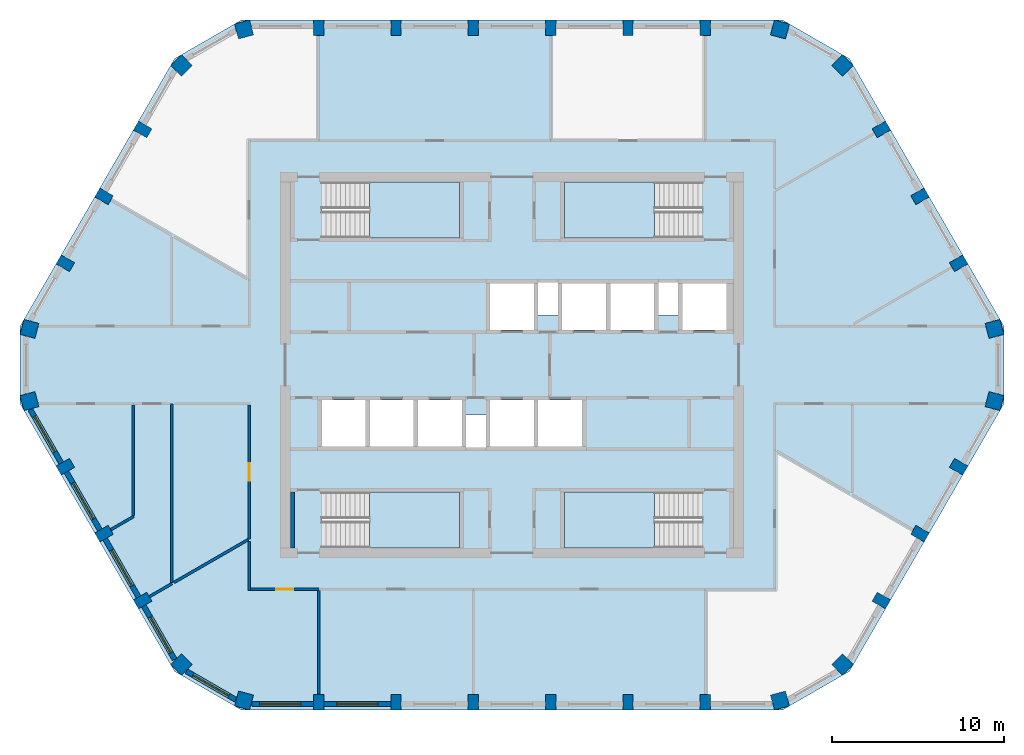
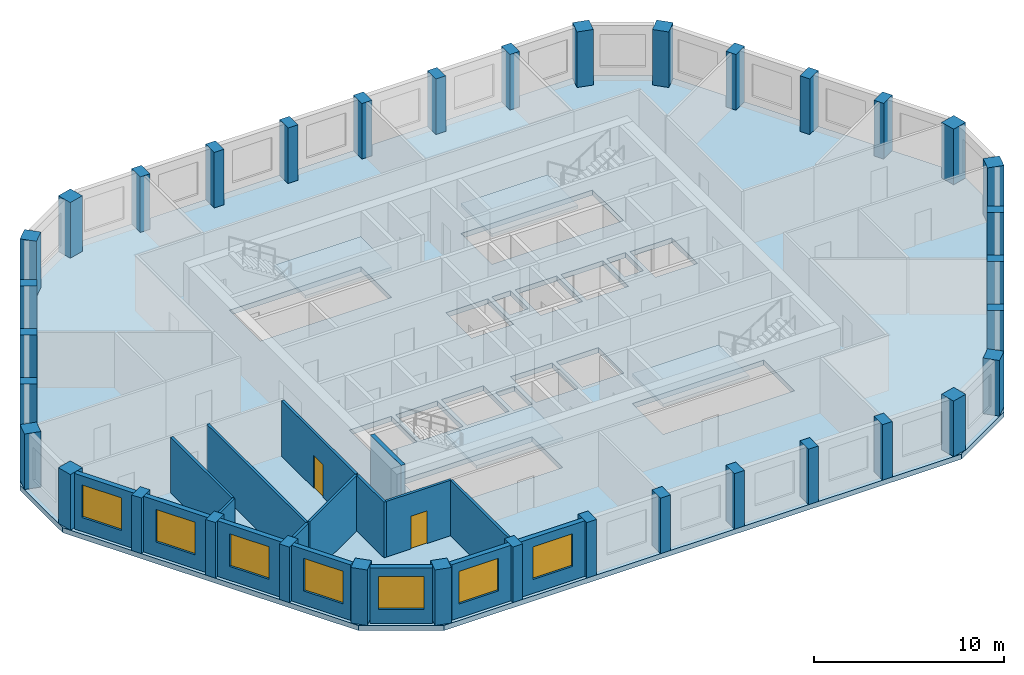
# One storey, part 1 of 10: 36 columns, 17 walls, 7 windows, 5 slabs, 2 doors, 9 openings, 4 elements without a shape of their own.
"""IFC4 building model written with IfcOpenShell, lengths in metres."""

import ifcopenshell
import ifcopenshell.guid

model = None  # the IFC model being written
_history = None  # IfcOwnerHistory: only IFC2X3 demands one
_inside = {}  # id of a spatial element -> (the spatial element, [elements in it])
_under = {}  # id of a project, library or spatial element -> (it, [spatial elements below it])
_declared = {}  # id of a project -> (the project, [libraries it declares])
_typed = {}  # id of a type object -> (the type object, [elements of that type])
_made_of = {}  # id of a material, layer set ... -> (it, [elements and type objects made of it])


def new_model(schema):
    """Start an empty IFC model of exactly this schema.

    Asked for "IFC4X3", IfcOpenShell would pick the latest addendum, in which some entities
    have other attributes; the version numbers below select the first issue.
    IFC2X3 requires an IfcOwnerHistory on every rooted entity: one is made here for all.
    """
    global model, _history
    if schema == "IFC4X3":
        model = ifcopenshell.file(schema_version=(4, 3, 0, 0))
    else:
        model = ifcopenshell.file(schema=schema)
    _inside.clear()
    _under.clear()
    _declared.clear()
    _typed.clear()
    _made_of.clear()
    _history = None
    if model.schema == "IFC2X3":
        org = make("IfcOrganization", Name="unknown")
        user = make(
            "IfcPersonAndOrganization",
            ThePerson=make("IfcPerson", FamilyName="unknown"),
            TheOrganization=org,
        )
        app = make(
            "IfcApplication",
            ApplicationDeveloper=org,
            Version="unknown",
            ApplicationFullName="unknown",
            ApplicationIdentifier="unknown",
        )
        _history = make(
            "IfcOwnerHistory",
            OwningUser=user,
            OwningApplication=app,
            ChangeAction="ADDED",
            CreationDate=0,
        )
    return model


def make(cls, **values):
    """One entity of the class cls with the attributes given. An attribute that is None is left unset."""
    return model.create_entity(
        cls, **{name: value for name, value in values.items() if value is not None}
    )


def rooted(cls, **values):
    """An entity with a GlobalId (a new one), such as an element, a storey or a relation."""
    return make(cls, GlobalId=ifcopenshell.guid.new(), OwnerHistory=_history, **values)


def si_unit(unit_type, name, prefix=None):
    """IfcSIUnit, for example si_unit("LENGTHUNIT", "METRE", prefix="MILLI")."""
    return make("IfcSIUnit", UnitType=unit_type, Prefix=prefix, Name=name)


def assignment(units):
    """IfcUnitAssignment: the units of a project."""
    return None if units is None else make("IfcUnitAssignment", Units=units)


def point(xyz):
    """IfcCartesianPoint."""
    return None if xyz is None else make("IfcCartesianPoint", Coordinates=xyz)


def direction(xyz):
    """IfcDirection."""
    return None if xyz is None else make("IfcDirection", DirectionRatios=xyz)


def frame(location, z_axis=None, x_axis=None):
    """IfcAxis2Placement3D, a coordinate frame: its origin and axes. An axis left out is left unset."""
    return make(
        "IfcAxis2Placement3D",
        Location=point(location),
        Axis=direction(z_axis),
        RefDirection=direction(x_axis),
    )


def frame_2d(location, x_axis=None):
    """IfcAxis2Placement2D, a coordinate frame in the plane: its origin and x axis."""
    return make(
        "IfcAxis2Placement2D", Location=point(location), RefDirection=direction(x_axis)
    )


def origin():
    """The frame at (0, 0, 0) with its axes left unset."""
    return frame((0.0, 0.0, 0.0))


def origin_2d():
    """The frame at (0, 0) in the plane with its x axis left unset."""
    return frame_2d((0.0, 0.0))


def place(relative_to, where):
    """IfcLocalPlacement: puts the frame where relative to a parent placement (None: the world)."""
    return make(
        "IfcLocalPlacement", PlacementRelTo=relative_to, RelativePlacement=where
    )


def context(
    kind, dimensions, precision=None, world=None, true_north=None, identifier=None
):
    """IfcGeometricRepresentationContext, for example the 3D "Model" context."""
    return make(
        "IfcGeometricRepresentationContext",
        ContextIdentifier=identifier,
        ContextType=kind,
        CoordinateSpaceDimension=dimensions,
        Precision=precision,
        WorldCoordinateSystem=world,
        TrueNorth=true_north,
    )


def subcontext(parent, identifier, kind, view, scale=None):
    """IfcGeometricRepresentationSubContext, for example "Body" below "Model"."""
    return make(
        "IfcGeometricRepresentationSubContext",
        ContextIdentifier=identifier,
        ContextType=kind,
        ParentContext=parent,
        TargetScale=scale,
        TargetView=view,
    )


def project(units=None, contexts=None):
    """IfcProject with its units and contexts."""
    return rooted(
        "IfcProject",
        Name="project",
        RepresentationContexts=contexts,
        UnitsInContext=assignment(units),
    )


def spatial(cls, under=None, at=None, **own):
    """A site, building, storey or space (cls), placed at a placement, below another one or the project."""
    s = rooted(cls, ObjectPlacement=at, **own)
    if under is not None:
        _under.setdefault(under.id(), (under, []))[1].append(s)
    return s


def polyline(points):
    """IfcPolyline through the points."""
    return make("IfcPolyline", Points=[point(p) for p in points])


def profile(cls, at=None, kind="AREA", **sizes):
    """A parametric profile (cls). Its sizes go by their IFC names, for example OverallWidth=200.0."""
    return make(cls, ProfileType=kind, Position=at, **sizes)


def rectangle(**sizes):
    """IfcRectangleProfileDef."""
    return profile("IfcRectangleProfileDef", **sizes)


def outline(outer, holes=None, kind="AREA"):
    """IfcArbitraryClosedProfileDef: a profile drawn as a closed curve; with holes, ...WithVoids."""
    if holes is None:
        return make("IfcArbitraryClosedProfileDef", ProfileType=kind, OuterCurve=outer)
    return make(
        "IfcArbitraryProfileDefWithVoids",
        ProfileType=kind,
        OuterCurve=outer,
        InnerCurves=holes,
    )


def extrude(swept, where, along, depth):
    """IfcExtrudedAreaSolid: the profile swept, set in the frame where, extruded along a direction by depth."""
    return make(
        "IfcExtrudedAreaSolid",
        SweptArea=swept,
        Position=where,
        ExtrudedDirection=direction(along),
        Depth=depth,
    )


def shape(context_of_items, identifier, shape_type, items):
    """IfcShapeRepresentation: the items that make up one representation, for example the "Body"."""
    return make(
        "IfcShapeRepresentation",
        ContextOfItems=context_of_items,
        RepresentationIdentifier=identifier,
        RepresentationType=shape_type,
        Items=items,
    )


def material(Name=None, Category=None):
    """IfcMaterial."""
    return make("IfcMaterial", Name=Name, Category=Category)


def layer(
    of_material, thickness, ventilated=None, Name=None, Category=None, Priority=None
):
    """IfcMaterialLayer: one layer of a wall or slab, of a material (None: an air gap)."""
    return make(
        "IfcMaterialLayer",
        Material=of_material,
        LayerThickness=thickness,
        IsVentilated=ventilated,
        Name=Name,
        Category=Category,
        Priority=Priority,
    )


def layer_set(layers, Name=None):
    """IfcMaterialLayerSet."""
    return make("IfcMaterialLayerSet", MaterialLayers=layers, LayerSetName=Name)


def material_profile(
    of_material, cross_section, Name=None, Category=None, Priority=None
):
    """IfcMaterialProfile: a cross section and its material."""
    return make(
        "IfcMaterialProfile",
        Name=Name,
        Material=of_material,
        Profile=cross_section,
        Priority=Priority,
        Category=Category,
    )


def profile_set(profiles, Name=None, composite=None):
    """IfcMaterialProfileSet."""
    return make(
        "IfcMaterialProfileSet",
        Name=Name,
        MaterialProfiles=profiles,
        CompositeProfile=composite,
    )


def made_of(thing, what):
    """Note that an element or type object is made of a material, layer set ...; save() writes the relation."""
    if what is not None:
        _made_of.setdefault(what.id(), (what, []))[1].append(thing)
    return thing


def type_object(cls, material=None, **own):
    """A type object (cls), such as IfcWallType, which elements share."""
    return made_of(rooted(cls, **own), material)


def element(
    cls,
    number,
    at=None,
    inside=None,
    cuts=None,
    type_object=None,
    material=None,
    context=None,
    identifier="Body",
    shape_type=None,
    held_by="IfcProductDefinitionShape",
    body=None,
    shapes=None,
    **own,
):
    """One element of the class cls, such as IfcWall. Its Tag is "e" and its number.

    at: its placement. inside: the storey or other place that contains it. cuts: it is an
    opening in that element (IfcRelVoidsElement). A single representation is given by context,
    identifier, shape_type and body (its items); several are given by shapes. held_by: the class
    of the entity that holds the representations. save() writes the other relations.
    """
    e = rooted(cls, Tag="e%d" % number, ObjectPlacement=at, **own)
    if body is not None:
        shapes = [shape(context, identifier, shape_type, body)]
    if shapes is not None:
        e.Representation = make(held_by, Representations=shapes)
    if inside is not None:
        _inside.setdefault(inside.id(), (inside, []))[1].append(e)
    if cuts is not None:
        rooted(
            "IfcRelVoidsElement", RelatingBuildingElement=cuts, RelatedOpeningElement=e
        )
    if type_object is not None:
        _typed.setdefault(type_object.id(), (type_object, []))[1].append(e)
    return made_of(e, material)


def fill(opening, filler):
    """IfcRelFillsElement: the door or window that sits in an opening."""
    return rooted(
        "IfcRelFillsElement",
        RelatingOpeningElement=opening,
        RelatedBuildingElement=filler,
    )


def aggregate(whole, parts):
    """IfcRelAggregates: a whole, such as a stair, and the parts it consists of."""
    return rooted("IfcRelAggregates", RelatingObject=whole, RelatedObjects=parts)


def save(model, path):
    """Write the relations noted so far, then the file.

    IfcRelAggregates (storeys below a building ...), IfcRelContainedInSpatialStructure (elements
    in a storey), IfcRelDefinesByType, IfcRelAssociatesMaterial and IfcRelDeclares: one each for
    every whole, place, type object, material and project.
    """
    for whole, parts in _under.values():
        aggregate(whole, parts)
    for where, things in _inside.values():
        rooted(
            "IfcRelContainedInSpatialStructure",
            RelatedElements=things,
            RelatingStructure=where,
        )
    for kind, things in _typed.values():
        rooted("IfcRelDefinesByType", RelatedObjects=things, RelatingType=kind)
    for what, things in _made_of.values():
        rooted("IfcRelAssociatesMaterial", RelatedObjects=things, RelatingMaterial=what)
    for by, libraries in _declared.values():
        rooted("IfcRelDeclares", RelatingContext=by, RelatedDefinitions=libraries)
    model.write(path)


model = new_model("IFC4")

# Units and contexts
model_context = context("Model", 3, precision=1e-05, world=origin(), true_north=direction((0.0, 1.0)))
body_context = subcontext(model_context, "Body", "Model", "MODEL_VIEW")
ifc_project = project(units=[si_unit("LENGTHUNIT", "METRE"), si_unit("AREAUNIT", "SQUARE_METRE"), si_unit("VOLUMEUNIT", "CUBIC_METRE"), si_unit("PLANEANGLEUNIT", "RADIAN"), si_unit("MASSUNIT", "GRAM", prefix="KILO")], contexts=[model_context])

# Site, building, storey
site_placement = place(None, origin())
site = spatial("IfcSite", under=ifc_project, at=site_placement, CompositionType="ELEMENT")
building_placement = place(site_placement, origin())
building = spatial("IfcBuilding", under=site, at=building_placement, Name="Dhurran Vertical Campus", CompositionType="ELEMENT")
storey_placement = place(building_placement, frame((0.0, 0.0, 298.199951171875)))
storey = spatial("IfcBuildingStorey", under=building, at=storey_placement, Name="L74", CompositionType="ELEMENT", Elevation=298.199951171875)

# Columns
ifc_material_1 = material(Name="Concrete C50/60", Category="concrete")
ifc_material_profile_1 = material_profile(ifc_material_1, rectangle(XDim=0.60009765625, YDim=0.89990234375, at=origin_2d()), Name="RC 600x900")
ifc_profile_set_1 = profile_set([ifc_material_profile_1], Name="Concrete C50/60")
column_type_1 = type_object("IfcColumnType", Name="FR COL RC 600x900 C50/60", PredefinedType="COLUMN", material=ifc_profile_set_1)
for number, where, z_axis, x_axis, name in (
    (1, (-11.25, -19.638427734375, 0.0), (0.0, 0.0, 1.0), (1.0, 0.0, 0.0), "Perimeter pier PP6.01"),
    (2, (-6.75, -19.638427734375, 0.0), (0.0, 0.0, 1.0), (1.0, 0.0, 0.0), "Perimeter pier PP6.02"),
    (3, (-2.25, -19.638427734375, 0.0), (0.0, 0.0, 1.0), (1.0, 0.0, 0.0), "Perimeter pier PP6.03"),
    (4, (2.25, -19.638427734375, 0.0), (0.0, 0.0, 1.0), (1.0, 0.0, 0.0), "Perimeter pier PP6.04"),
    (5, (6.75, -19.638427734375, 0.0), (0.0, 0.0, 1.0), (1.0, 0.0, 0.0), "Perimeter pier PP6.05"),
    (6, (11.25, -19.638427734375, 0.0), (0.0, 0.0, 1.0), (1.0, 0.0, 0.0), "Perimeter pier PP6.06"),
    (7, (21.50732421875, -13.71630859375, 0.0), (0.0, 0.0, 1.0), (0.5, 0.866025403784, 0.0), "Perimeter pier PP6.09"),
    (8, (23.75732421875, -9.819091796875, 0.0), (0.0, 0.0, 1.0), (0.5, 0.866025403784, 0.0), "Perimeter pier PP6.10"),
    (9, (26.00732421875, -5.922119140625, 0.0), (0.0, 0.0, 1.0), (0.5, 0.866025403784, 0.0), "Perimeter pier PP6.11"),
    (10, (26.00732421875, 5.922119140625, 0.0), (0.0, 0.0, 1.0), (-0.5, 0.866025403784, 0.0), "Perimeter pier PP6.14"),
    (11, (23.75732421875, 9.819091796875, 0.0), (0.0, 0.0, 1.0), (-0.5, 0.866025403784, 0.0), "Perimeter pier PP6.15"),
    (12, (21.50732421875, 13.71630859375, 0.0), (0.0, 0.0, 1.0), (-0.5, 0.866025403784, 0.0), "Perimeter pier PP6.16"),
    (13, (11.25, 19.638427734375, 0.0), (0.0, 0.0, 1.0), (-1.0, 0.0, 0.0), "Perimeter pier PP6.19"),
    (14, (6.75, 19.638427734375, 0.0), (0.0, 0.0, 1.0), (-1.0, 0.0, 0.0), "Perimeter pier PP6.20"),
    (15, (2.25, 19.638427734375, 0.0), (0.0, 0.0, 1.0), (-1.0, 0.0, 0.0), "Perimeter pier PP6.21"),
    (16, (-2.25, 19.638427734375, 0.0), (0.0, 0.0, 1.0), (-1.0, 0.0, 0.0), "Perimeter pier PP6.22"),
    (17, (-6.75, 19.638427734375, 0.0), (0.0, 0.0, 1.0), (-1.0, 0.0, 0.0), "Perimeter pier PP6.23"),
    (18, (-11.25, 19.638427734375, 0.0), (0.0, 0.0, 1.0), (-1.0, 0.0, 0.0), "Perimeter pier PP6.24"),
    (19, (-21.50732421875, 13.71630859375, 0.0), (0.0, 0.0, 1.0), (-0.5, -0.866025403784, 0.0), "Perimeter pier PP6.27"),
    (20, (-23.75732421875, 9.819091796875, 0.0), (0.0, 0.0, 1.0), (-0.5, -0.866025403784, 0.0), "Perimeter pier PP6.28"),
    (21, (-26.00732421875, 5.922119140625, 0.0), (0.0, 0.0, 1.0), (-0.5, -0.866025403784, 0.0), "Perimeter pier PP6.29"),
    (22, (-26.00732421875, -5.922119140625, 0.0), (0.0, 0.0, 1.0), (0.5, -0.866025403784, 0.0), "Perimeter pier PP6.32"),
    (23, (-23.75732421875, -9.819091796875, 0.0), (0.0, 0.0, 1.0), (0.5, -0.866025403784, 0.0), "Perimeter pier PP6.33"),
    (24, (-21.50732421875, -13.71630859375, 0.0), (0.0, 0.0, 1.0), (0.5, -0.866025403784, 0.0), "Perimeter pier PP6.34"),
):
    element("IfcColumn", number, at=place(storey_placement, frame(where, z_axis=z_axis, x_axis=x_axis)), inside=storey, type_object=column_type_1, Name=name, PredefinedType="COLUMN", context=body_context, shape_type="SweptSolid", body=[
        extrude(rectangle(XDim=0.60009765625, YDim=0.89990234375, at=origin_2d()), origin(), (0.0, 0.0, 1.0), 3.574951171875),
    ])
ifc_material_2 = material(Name="Concrete C50/60", Category="concrete")
ifc_material_profile_2 = material_profile(ifc_material_2, rectangle(XDim=0.89990234375, YDim=0.89990234375, at=origin_2d()), Name="RC 900x900")
ifc_profile_set_2 = profile_set([ifc_material_profile_2], Name="Concrete C50/60")
column_type_2 = type_object("IfcColumnType", Name="FR COL RC 900x900 C50/60", PredefinedType="COLUMN", material=ifc_profile_set_2)
for number, where, z_axis, x_axis, name in (
    (25, (-15.602294921875, -19.537353515625, 0.0), (0.0, 0.0, 1.0), (0.965925826289, -0.258819045103, 0.0), "Perimeter pier PP6.00"),
    (26, (15.602294921875, -19.537353515625, 0.0), (0.0, 0.0, 1.0), (0.965925826289, 0.258819045103, 0.0), "Perimeter pier PP6.07"),
    (27, (19.24365234375, -17.43505859375, 0.0), (0.0, 0.0, 1.0), (0.707106781187, 0.707106781187, 0.0), "Perimeter pier PP6.08"),
    (28, (28.095947265625, -2.102294921875, 0.0), (0.0, 0.0, 1.0), (0.258819045103, 0.965925826289, 0.0), "Perimeter pier PP6.12"),
    (29, (28.095947265625, 2.102294921875, 0.0), (0.0, 0.0, 1.0), (-0.258819045103, 0.965925826289, 0.0), "Perimeter pier PP6.13"),
    (30, (19.24365234375, 17.43505859375, 0.0), (0.0, 0.0, 1.0), (-0.707106781187, 0.707106781187, 0.0), "Perimeter pier PP6.17"),
    (31, (15.602294921875, 19.537353515625, 0.0), (0.0, 0.0, 1.0), (-0.965925826289, 0.258819045103, 0.0), "Perimeter pier PP6.18"),
    (32, (-15.602294921875, 19.537353515625, 0.0), (0.0, 0.0, 1.0), (-0.965925826289, -0.258819045103, 0.0), "Perimeter pier PP6.25"),
    (33, (-19.24365234375, 17.43505859375, 0.0), (0.0, 0.0, 1.0), (-0.707106781187, -0.707106781187, 0.0), "Perimeter pier PP6.26"),
    (34, (-28.095947265625, 2.102294921875, 0.0), (0.0, 0.0, 1.0), (-0.258819045103, -0.965925826289, 0.0), "Perimeter pier PP6.30"),
    (35, (-28.095947265625, -2.102294921875, 0.0), (0.0, 0.0, 1.0), (0.258819045103, -0.965925826289, 0.0), "Perimeter pier PP6.31"),
    (36, (-19.24365234375, -17.43505859375, 0.0), (0.0, 0.0, 1.0), (0.707106781187, -0.707106781187, 0.0), "Perimeter pier PP6.35"),
):
    element("IfcColumn", number, at=place(storey_placement, frame(where, z_axis=z_axis, x_axis=x_axis)), inside=storey, type_object=column_type_2, Name=name, PredefinedType="COLUMN", context=body_context, shape_type="SweptSolid", body=[
        extrude(rectangle(XDim=0.89990234375, YDim=0.89990234375, at=origin_2d()), origin(), (0.0, 0.0, 1.0), 3.574951171875),
    ])

# Slab
ifc_material_3 = material(Name="Concrete C40/50", Category="concrete")
ifc_layer_1 = layer(ifc_material_3, 0.324951171875)
ifc_layer_set_1 = layer_set([ifc_layer_1], Name="Concrete C40/50")
slab_type_1 = type_object("IfcSlabType", Name="FR POST-TENSIONED FLAT SLAB 325", PredefinedType="FLOOR", material=ifc_layer_set_1)
slab_1_placement = place(storey_placement, frame((0.0, 0.0, -0.324951171875)))
element("IfcSlab", 37, at=slab_1_placement, inside=storey, type_object=slab_type_1, Name="Floor slab L74", PredefinedType="FLOOR", context=body_context, shape_type="SweptSolid", body=[
    extrude(outline(polyline([(-15.75, -20.08837890625), (15.75, -20.08837890625), (19.647216796875, -17.83837890625), (28.647216796875, -2.25), (28.647216796875, 2.25), (19.647216796875, 17.83837890625), (15.75, 20.08837890625), (-15.75, 20.08837890625), (-19.647216796875, 17.83837890625), (-28.647216796875, 2.25), (-28.647216796875, -2.25), (-19.647216796875, -17.83837890625), (-15.75, -20.08837890625)]), holes=[polyline([(-1.27490234375, 2.050048828125), (1.27490234375, 2.050048828125), (1.27490234375, 4.75), (-1.27490234375, 4.75), (-1.27490234375, 2.050048828125)]), polyline([(9.925048828125, 2.050048828125), (12.47509765625, 2.050048828125), (12.47509765625, 4.75), (9.925048828125, 4.75), (9.925048828125, 2.050048828125)]), polyline([(-1.27490234375, -4.75), (1.27490234375, -4.75), (1.27490234375, -2.050048828125), (-1.27490234375, -2.050048828125), (-1.27490234375, -4.75)]), polyline([(1.52490234375, -4.75), (4.074951171875, -4.75), (4.074951171875, -2.050048828125), (1.52490234375, -2.050048828125), (1.52490234375, -4.75)]), polyline([(2.925048828125, 2.050048828125), (5.47509765625, 2.050048828125), (5.47509765625, 4.75), (2.925048828125, 4.75), (2.925048828125, 2.050048828125)]), polyline([(5.72509765625, 2.050048828125), (8.27490234375, 2.050048828125), (8.27490234375, 4.75), (5.72509765625, 4.75), (5.72509765625, 2.050048828125)]), polyline([(-11.074951171875, -4.75), (-8.52490234375, -4.75), (-8.52490234375, -2.050048828125), (-11.074951171875, -2.050048828125), (-11.074951171875, -4.75)]), polyline([(-8.27490234375, -4.75), (-5.72509765625, -4.75), (-5.72509765625, -2.050048828125), (-8.27490234375, -2.050048828125), (-8.27490234375, -4.75)]), polyline([(-5.47509765625, -4.75), (-2.925048828125, -4.75), (-2.925048828125, -2.050048828125), (-5.47509765625, -2.050048828125), (-5.47509765625, -4.75)]), polyline([(-11.050048828125, 7.39990234375), (-3.050048828125, 7.39990234375), (-3.050048828125, 10.64990234375), (-11.050048828125, 10.64990234375), (-11.050048828125, 7.39990234375)]), polyline([(3.050048828125, 7.39990234375), (11.050048828125, 7.39990234375), (11.050048828125, 10.64990234375), (3.050048828125, 10.64990234375), (3.050048828125, 7.39990234375)]), polyline([(-11.050048828125, -10.64990234375), (-3.050048828125, -10.64990234375), (-3.050048828125, -7.39990234375), (-11.050048828125, -7.39990234375), (-11.050048828125, -10.64990234375)]), polyline([(3.050048828125, -10.64990234375), (11.050048828125, -10.64990234375), (11.050048828125, -7.39990234375), (3.050048828125, -7.39990234375), (3.050048828125, -10.64990234375)]), polyline([(2.675048828125, 2.89990234375), (1.52490234375, 2.89990234375), (1.52490234375, 4.800048828125), (2.675048828125, 4.800048828125), (2.675048828125, 2.89990234375)]), polyline([(-2.675048828125, -2.89990234375), (-1.52490234375, -2.89990234375), (-1.52490234375, -4.800048828125), (-2.675048828125, -4.800048828125), (-2.675048828125, -2.89990234375)]), polyline([(9.675048828125, 2.89990234375), (8.52490234375, 2.89990234375), (8.52490234375, 4.800048828125), (9.675048828125, 4.800048828125), (9.675048828125, 2.89990234375)])]), origin(), (0.0, 0.0, 1.0), 0.324951171875),
])

# Stair, slab
ifc_material_4 = material(Name="Concrete C40/50", Category="concrete")
stair_type = type_object("IfcStairType", Name="co-ST-CORE", PredefinedType="HALF_TURN_STAIR", material=ifc_material_4)
stair_1_placement = place(storey_placement, origin())
stair_1 = element("IfcStair", 38, at=stair_1_placement, inside=storey, type_object=stair_type, Name="L74 Protected exit stair ST1", PredefinedType="HALF_TURN_STAIR")
ifc_material_5 = material(Name="Concrete C40/50", Category="concrete")
ifc_layer_2 = layer(ifc_material_5, 0.199951171875)
ifc_layer_set_2 = layer_set([ifc_layer_2], Name="Concrete C40/50")
slab_type_2 = type_object("IfcSlabType", Name="co-SL-LANDING", PredefinedType="LANDING", material=ifc_layer_set_2)
slab_2_placement = place(storey_placement, frame((0.0, 0.0, 1.75)))
slab_2 = element("IfcSlab", 39, at=slab_2_placement, type_object=slab_type_2, Name="ST1 landing 1", PredefinedType="LANDING", context=body_context, shape_type="SweptSolid", body=[
    extrude(outline(polyline([(-8.300048828125, 7.39990234375), (-3.050048828125, 7.39990234375), (-3.050048828125, 10.64990234375), (-8.300048828125, 10.64990234375), (-8.300048828125, 7.39990234375)])), origin(), (0.0, 0.0, 1.0), 0.199951171875),
])
aggregate(stair_1, [slab_2])

stair_2_placement = place(storey_placement, origin())
stair_2 = element("IfcStair", 40, at=stair_2_placement, inside=storey, type_object=stair_type, Name="L74 Protected exit stair ST2", PredefinedType="HALF_TURN_STAIR")
slab_3_placement = place(storey_placement, frame((0.0, 0.0, 1.75)))
slab_3 = element("IfcSlab", 41, at=slab_3_placement, type_object=slab_type_2, Name="ST2 landing 1", PredefinedType="LANDING", context=body_context, shape_type="SweptSolid", body=[
    extrude(outline(polyline([(8.300048828125, 10.64990234375), (3.050048828125, 10.64990234375), (3.050048828125, 7.39990234375), (8.300048828125, 7.39990234375), (8.300048828125, 10.64990234375)])), origin(), (0.0, 0.0, 1.0), 0.199951171875),
])
aggregate(stair_2, [slab_3])

stair_3_placement = place(storey_placement, origin())
stair_3 = element("IfcStair", 42, at=stair_3_placement, inside=storey, type_object=stair_type, Name="L74 Protected exit stair ST3", PredefinedType="HALF_TURN_STAIR")
slab_4_placement = place(storey_placement, frame((0.0, 0.0, 1.75)))
slab_4 = element("IfcSlab", 43, at=slab_4_placement, type_object=slab_type_2, Name="ST3 landing 1", PredefinedType="LANDING", context=body_context, shape_type="SweptSolid", body=[
    extrude(outline(polyline([(-8.300048828125, -10.64990234375), (-3.050048828125, -10.64990234375), (-3.050048828125, -7.39990234375), (-8.300048828125, -7.39990234375), (-8.300048828125, -10.64990234375)])), origin(), (0.0, 0.0, 1.0), 0.199951171875),
])
aggregate(stair_3, [slab_4])

stair_4_placement = place(storey_placement, origin())
stair_4 = element("IfcStair", 44, at=stair_4_placement, inside=storey, type_object=stair_type, Name="L74 Protected exit stair ST4", PredefinedType="HALF_TURN_STAIR")
slab_5_placement = place(storey_placement, frame((0.0, 0.0, 1.75)))
slab_5 = element("IfcSlab", 45, at=slab_5_placement, type_object=slab_type_2, Name="ST4 landing 1", PredefinedType="LANDING", context=body_context, shape_type="SweptSolid", body=[
    extrude(outline(polyline([(8.300048828125, -7.39990234375), (3.050048828125, -7.39990234375), (3.050048828125, -10.64990234375), (8.300048828125, -10.64990234375), (8.300048828125, -7.39990234375)])), origin(), (0.0, 0.0, 1.0), 0.199951171875),
])
aggregate(stair_4, [slab_5])

# Wall, opening, window
ifc_material_6 = material(Name="Precast concrete C50/60", Category="concrete")
ifc_layer_3 = layer(ifc_material_6, 0.300048828125)
ifc_layer_set_3 = layer_set([ifc_layer_3], Name="Precast concrete C50/60")
wall_type_1 = type_object("IfcWallType", Name="Precast spandrel wall 300", PredefinedType="SOLIDWALL", material=ifc_layer_set_3)
wall_1_placement = place(storey_placement, frame((-15.14990234375, -19.738525390625, 0.0), z_axis=(0.0, 0.0, 1.0), x_axis=(1.0, 0.0, 0.0)))
wall_1 = element("IfcWall", 46, at=wall_1_placement, inside=storey, type_object=wall_type_1, Name="EW1 L74.00", PredefinedType="SOLIDWALL", context=body_context, shape_type="SweptSolid", body=[
    extrude(rectangle(XDim=3.599365234375, YDim=0.300048828125, at=frame_2d((1.7998046875, 0.0))), origin(), (0.0, 0.0, 1.0), 3.574951171875),
])
opening_1_placement = place(wall_1_placement, frame((0.449951171875, 0.0, 0.89990234375)))
opening_1 = element("IfcOpeningElement", 47, at=opening_1_placement, cuts=wall_1, Name="Opening WT1", PredefinedType="OPENING", context=body_context, shape_type="SweptSolid", body=[
    extrude(rectangle(XDim=2.39990234375, YDim=2.10009765625, at=frame_2d((1.199951171875, 1.050048828125))), frame((0.0, 0.159912109375, 0.0), z_axis=(0.0, -1.0, 0.0), x_axis=(1.0, 0.0, 0.0)), (0.0, 0.0, 1.0), 0.320068359375),
])
ifc_material_7 = material(Name="Aluminium frame with solar-control glass", Category="aluminium")
window_type = type_object("IfcWindowType", Name="Punched window 2400 x 2100", PartitioningType="SINGLE_PANEL", PredefinedType="WINDOW", material=ifc_material_7)
window_1_placement = place(opening_1_placement, origin())
window_1 = element("IfcWindow", 48, at=window_1_placement, inside=storey, type_object=window_type, Name="WT1 L74.00", OverallHeight=2.10009765625, OverallWidth=2.39990234375, PartitioningType="SINGLE_PANEL", PredefinedType="WINDOW", context=body_context, shape_type="SweptSolid", body=[
    extrude(rectangle(XDim=2.39990234375, YDim=2.10009765625, at=frame_2d((1.199951171875, 1.050048828125))), frame((0.0, 0.030029296875, 0.0), z_axis=(0.0, -1.0, 0.0), x_axis=(1.0, 0.0, 0.0)), (0.0, 0.0, 1.0), 0.06005859375),
])
fill(opening_1, window_1)

wall_2_placement = place(storey_placement, frame((-10.949462890625, -19.738525390625, 0.0), z_axis=(0.0, 0.0, 1.0), x_axis=(1.0, 0.0, 0.0)))
wall_2 = element("IfcWall", 49, at=wall_2_placement, inside=storey, type_object=wall_type_1, Name="EW1 L74.01", PredefinedType="SOLIDWALL", context=body_context, shape_type="SweptSolid", body=[
    extrude(rectangle(XDim=3.89892578125, YDim=0.300048828125, at=frame_2d((1.949462890625, 0.0))), origin(), (0.0, 0.0, 1.0), 3.574951171875),
])
opening_2_placement = place(wall_2_placement, frame((0.74951171875, 0.0, 0.89990234375)))
opening_2 = element("IfcOpeningElement", 50, at=opening_2_placement, cuts=wall_2, Name="Opening WT1", PredefinedType="OPENING", context=body_context, shape_type="SweptSolid", body=[
    extrude(rectangle(XDim=2.39990234375, YDim=2.10009765625, at=frame_2d((1.199951171875, 1.050048828125))), frame((0.0, 0.159912109375, 0.0), z_axis=(0.0, -1.0, 0.0), x_axis=(1.0, 0.0, 0.0)), (0.0, 0.0, 1.0), 0.320068359375),
])
window_2_placement = place(opening_2_placement, origin())
window_2 = element("IfcWindow", 51, at=window_2_placement, inside=storey, type_object=window_type, Name="WT1 L74.01", OverallHeight=2.10009765625, OverallWidth=2.39990234375, PartitioningType="SINGLE_PANEL", PredefinedType="WINDOW", context=body_context, shape_type="SweptSolid", body=[
    extrude(rectangle(XDim=2.39990234375, YDim=2.10009765625, at=frame_2d((1.199951171875, 1.050048828125))), frame((0.0, 0.030029296875, 0.0), z_axis=(0.0, -1.0, 0.0), x_axis=(1.0, 0.0, 0.0)), (0.0, 0.0, 1.0), 0.06005859375),
])
fill(opening_2, window_2)

wall_3_placement = place(storey_placement, frame((-28.0439453125, -2.5947265625, 0.0), z_axis=(0.0, 0.0, 1.0), x_axis=(0.499969057507, -0.866043267704, 0.0)))
wall_3 = element("IfcWall", 52, at=wall_3_placement, inside=storey, type_object=wall_type_1, Name="EW1 L74.31", PredefinedType="SOLIDWALL", context=body_context, shape_type="SweptSolid", body=[
    extrude(rectangle(XDim=3.599365234375, YDim=0.300048828125, at=frame_2d((1.7998046875, 0.0))), origin(), (0.0, 0.0, 1.0), 3.574951171875),
])
opening_3_placement = place(wall_3_placement, frame((0.449951171875, 0.0, 0.89990234375)))
opening_3 = element("IfcOpeningElement", 53, at=opening_3_placement, cuts=wall_3, Name="Opening WT1", PredefinedType="OPENING", context=body_context, shape_type="SweptSolid", body=[
    extrude(rectangle(XDim=2.39990234375, YDim=2.10009765625, at=frame_2d((1.199951171875, 1.050048828125))), frame((0.0, 0.159912109375, 0.0), z_axis=(0.0, -1.0, 0.0), x_axis=(1.0, 0.0, 0.0)), (0.0, 0.0, 1.0), 0.320068359375),
])
window_3_placement = place(opening_3_placement, origin())
window_3 = element("IfcWindow", 54, at=window_3_placement, inside=storey, type_object=window_type, Name="WT1 L74.31", OverallHeight=2.10009765625, OverallWidth=2.39990234375, PartitioningType="SINGLE_PANEL", PredefinedType="WINDOW", context=body_context, shape_type="SweptSolid", body=[
    extrude(rectangle(XDim=2.39990234375, YDim=2.10009765625, at=frame_2d((1.199951171875, 1.050048828125))), frame((0.0, 0.030029296875, 0.0), z_axis=(0.0, -1.0, 0.0), x_axis=(1.0, 0.0, 0.0)), (0.0, 0.0, 1.0), 0.06005859375),
])
fill(opening_3, window_3)

wall_4_placement = place(storey_placement, frame((-25.94384765625, -6.232421875, 0.0), z_axis=(0.0, 0.0, 1.0), x_axis=(0.500011542666, -0.866018739521, 0.0)))
wall_4 = element("IfcWall", 55, at=wall_4_placement, inside=storey, type_object=wall_type_1, Name="EW1 L74.32", PredefinedType="SOLIDWALL", context=body_context, shape_type="SweptSolid", body=[
    extrude(rectangle(XDim=3.89892578125, YDim=0.300048828125, at=frame_2d((1.949462890625, 0.0))), origin(), (0.0, 0.0, 1.0), 3.574951171875),
])
opening_4_placement = place(wall_4_placement, frame((0.74951171875, 0.0, 0.89990234375)))
opening_4 = element("IfcOpeningElement", 56, at=opening_4_placement, cuts=wall_4, Name="Opening WT1", PredefinedType="OPENING", context=body_context, shape_type="SweptSolid", body=[
    extrude(rectangle(XDim=2.39990234375, YDim=2.10009765625, at=frame_2d((1.199951171875, 1.050048828125))), frame((0.0, 0.159912109375, 0.0), z_axis=(0.0, -1.0, 0.0), x_axis=(1.0, 0.0, 0.0)), (0.0, 0.0, 1.0), 0.320068359375),
])
window_4_placement = place(opening_4_placement, origin())
window_4 = element("IfcWindow", 57, at=window_4_placement, inside=storey, type_object=window_type, Name="WT1 L74.32", OverallHeight=2.10009765625, OverallWidth=2.39990234375, PartitioningType="SINGLE_PANEL", PredefinedType="WINDOW", context=body_context, shape_type="SweptSolid", body=[
    extrude(rectangle(XDim=2.39990234375, YDim=2.10009765625, at=frame_2d((1.199951171875, 1.050048828125))), frame((0.0, 0.030029296875, 0.0), z_axis=(0.0, -1.0, 0.0), x_axis=(1.0, 0.0, 0.0)), (0.0, 0.0, 1.0), 0.06005859375),
])
fill(opening_4, window_4)

wall_5_placement = place(storey_placement, frame((-23.69384765625, -10.12939453125, 0.0), z_axis=(0.0, 0.0, 1.0), x_axis=(0.499984428715, -0.866034393683, 0.0)))
wall_5 = element("IfcWall", 58, at=wall_5_placement, inside=storey, type_object=wall_type_1, Name="EW1 L74.33", PredefinedType="SOLIDWALL", context=body_context, shape_type="SweptSolid", body=[
    extrude(rectangle(XDim=3.89892578125, YDim=0.300048828125, at=frame_2d((1.949462890625, 0.0))), origin(), (0.0, 0.0, 1.0), 3.574951171875),
])
opening_5_placement = place(wall_5_placement, frame((0.74951171875, 0.0, 0.89990234375)))
opening_5 = element("IfcOpeningElement", 59, at=opening_5_placement, cuts=wall_5, Name="Opening WT1", PredefinedType="OPENING", context=body_context, shape_type="SweptSolid", body=[
    extrude(rectangle(XDim=2.39990234375, YDim=2.10009765625, at=frame_2d((1.199951171875, 1.050048828125))), frame((0.0, 0.159912109375, 0.0), z_axis=(0.0, -1.0, 0.0), x_axis=(1.0, 0.0, 0.0)), (0.0, 0.0, 1.0), 0.320068359375),
])
window_5_placement = place(opening_5_placement, origin())
window_5 = element("IfcWindow", 60, at=window_5_placement, inside=storey, type_object=window_type, Name="WT1 L74.33", OverallHeight=2.10009765625, OverallWidth=2.39990234375, PartitioningType="SINGLE_PANEL", PredefinedType="WINDOW", context=body_context, shape_type="SweptSolid", body=[
    extrude(rectangle(XDim=2.39990234375, YDim=2.10009765625, at=frame_2d((1.199951171875, 1.050048828125))), frame((0.0, 0.030029296875, 0.0), z_axis=(0.0, -1.0, 0.0), x_axis=(1.0, 0.0, 0.0)), (0.0, 0.0, 1.0), 0.06005859375),
])
fill(opening_5, window_5)

wall_6_placement = place(storey_placement, frame((-21.44384765625, -14.026611328125, 0.0), z_axis=(0.0, 0.0, 1.0), x_axis=(0.50001992892, -0.866013897511, 0.0)))
wall_6 = element("IfcWall", 61, at=wall_6_placement, inside=storey, type_object=wall_type_1, Name="EW1 L74.34", PredefinedType="SOLIDWALL", context=body_context, shape_type="SweptSolid", body=[
    extrude(rectangle(XDim=3.599365234375, YDim=0.300048828125, at=frame_2d((1.7998046875, 0.0))), origin(), (0.0, 0.0, 1.0), 3.574951171875),
])
opening_6_placement = place(wall_6_placement, frame((0.74951171875, 0.0, 0.89990234375)))
opening_6 = element("IfcOpeningElement", 62, at=opening_6_placement, cuts=wall_6, Name="Opening WT1", PredefinedType="OPENING", context=body_context, shape_type="SweptSolid", body=[
    extrude(rectangle(XDim=2.39990234375, YDim=2.10009765625, at=frame_2d((1.199951171875, 1.050048828125))), frame((0.0, 0.159912109375, 0.0), z_axis=(0.0, -1.0, 0.0), x_axis=(1.0, 0.0, 0.0)), (0.0, 0.0, 1.0), 0.320068359375),
])
window_6_placement = place(opening_6_placement, origin())
window_6 = element("IfcWindow", 63, at=window_6_placement, inside=storey, type_object=window_type, Name="WT1 L74.34", OverallHeight=2.10009765625, OverallWidth=2.39990234375, PartitioningType="SINGLE_PANEL", PredefinedType="WINDOW", context=body_context, shape_type="SweptSolid", body=[
    extrude(rectangle(XDim=2.39990234375, YDim=2.10009765625, at=frame_2d((1.199951171875, 1.050048828125))), frame((0.0, 0.030029296875, 0.0), z_axis=(0.0, -1.0, 0.0), x_axis=(1.0, 0.0, 0.0)), (0.0, 0.0, 1.0), 0.06005859375),
])
fill(opening_6, window_6)

wall_7_placement = place(storey_placement, frame((-18.952392578125, -17.83544921875, 0.0), z_axis=(0.0, 0.0, 1.0), x_axis=(0.866021716278, -0.500006386895, 0.0)))
wall_7 = element("IfcWall", 64, at=wall_7_placement, inside=storey, type_object=wall_type_1, Name="EW1 L74.35", PredefinedType="SOLIDWALL", context=body_context, shape_type="SweptSolid", body=[
    extrude(rectangle(XDim=3.2998046875, YDim=0.300048828125, at=frame_2d((1.64990234375, 0.0))), origin(), (0.0, 0.0, 1.0), 3.574951171875),
])
opening_7_placement = place(wall_7_placement, frame((0.449951171875, 0.0, 0.89990234375)))
opening_7 = element("IfcOpeningElement", 65, at=opening_7_placement, cuts=wall_7, Name="Opening WT1", PredefinedType="OPENING", context=body_context, shape_type="SweptSolid", body=[
    extrude(rectangle(XDim=2.39990234375, YDim=2.10009765625, at=frame_2d((1.199951171875, 1.050048828125))), frame((0.0, 0.159912109375, 0.0), z_axis=(0.0, -1.0, 0.0), x_axis=(1.0, 0.0, 0.0)), (0.0, 0.0, 1.0), 0.320068359375),
])
window_7_placement = place(opening_7_placement, origin())
window_7 = element("IfcWindow", 66, at=window_7_placement, inside=storey, type_object=window_type, Name="WT1 L74.35", OverallHeight=2.10009765625, OverallWidth=2.39990234375, PartitioningType="SINGLE_PANEL", PredefinedType="WINDOW", context=body_context, shape_type="SweptSolid", body=[
    extrude(rectangle(XDim=2.39990234375, YDim=2.10009765625, at=frame_2d((1.199951171875, 1.050048828125))), frame((0.0, 0.030029296875, 0.0), z_axis=(0.0, -1.0, 0.0), x_axis=(1.0, 0.0, 0.0)), (0.0, 0.0, 1.0), 0.06005859375),
])
fill(opening_7, window_7)

# Walls
ifc_material_8 = material(Name="Concrete C40/50", Category="concrete")
ifc_layer_4 = layer(ifc_material_8, 0.25)
ifc_layer_set_4 = layer_set([ifc_layer_4], Name="Concrete C40/50")
wall_type_2 = type_object("IfcWallType", Name="co-STAIR-WALL-250", PredefinedType="SHEAR", material=ifc_layer_set_4)
wall_8_placement = place(storey_placement, frame((-12.77490234375, -10.64990234375, 0.0), z_axis=(0.0, 0.0, 1.0), x_axis=(0.0, 1.0, 0.0)))
element("IfcWall", 67, at=wall_8_placement, inside=storey, type_object=wall_type_2, Name="Stair ST3 enclosure wall L74", PredefinedType="SHEAR", context=body_context, shape_type="SweptSolid", body=[
    extrude(rectangle(XDim=3.25, YDim=0.25, at=frame_2d((1.625, 0.0))), origin(), (0.0, 0.0, 1.0), 3.574951171875),
])
ifc_material_9 = material(Name="Gypsum board corridor wall on steel studs", Category="steel")
ifc_layer_5 = layer(ifc_material_9, 0.14990234375)
ifc_layer_set_5 = layer_set([ifc_layer_5], Name="Gypsum board corridor wall on steel studs")
wall_type_3 = type_object("IfcWallType", Name="fl-CW-150 corridor wall", PredefinedType="PARTITIONING", material=ifc_layer_set_5)
wall_9_placement = place(storey_placement, frame((-15.300048828125, -10.261962890625, 0.0), z_axis=(0.0, 0.0, 1.0), x_axis=(0.0, -1.0, 0.0)))
element("IfcWall", 68, at=wall_9_placement, inside=storey, type_object=wall_type_3, Name="Partition 74-14", PredefinedType="PARTITIONING", context=body_context, shape_type="SweptSolid", body=[
    extrude(rectangle(XDim=2.863037109375, YDim=0.14990234375, at=frame_2d((1.431640625, 0.0))), origin(), (0.0, 0.0, 1.0), 3.574951171875),
])

# Wall, opening, door
wall_10_placement = place(storey_placement, frame((-15.22509765625, -13.050048828125, 0.0), z_axis=(0.0, 0.0, 1.0), x_axis=(1.0, 0.0, 0.0)))
wall_10 = element("IfcWall", 69, at=wall_10_placement, inside=storey, type_object=wall_type_3, Name="Partition 74-15", PredefinedType="PARTITIONING", context=body_context, shape_type="SweptSolid", body=[
    extrude(rectangle(XDim=3.97509765625, YDim=0.14990234375, at=frame_2d((1.987548828125, 0.0))), origin(), (0.0, 0.0, 1.0), 3.574951171875),
])
opening_8_placement = place(wall_10_placement, frame((1.487548828125, 0.0, 0.0)))
opening_8 = element("IfcOpeningElement", 70, at=opening_8_placement, cuts=wall_10, Name="Opening T22.07", PredefinedType="OPENING", context=body_context, shape_type="SweptSolid", body=[
    extrude(rectangle(XDim=1.0, YDim=2.10009765625, at=frame_2d((0.5, 1.050048828125))), frame((0.0, 0.0849609375, 0.0), z_axis=(0.0, -1.0, 0.0), x_axis=(1.0, 0.0, 0.0)), (0.0, 0.0, 1.0), 0.169921875),
])
ifc_material_10 = material(Name="Solid-core timber door set, fire-rated", Category="wood")
door_type = type_object("IfcDoorType", Name="fl-D-1000x2100", OperationType="SINGLE_SWING_LEFT", PredefinedType="DOOR", material=ifc_material_10)
door_1_placement = place(opening_8_placement, origin())
door_1 = element("IfcDoor", 71, at=door_1_placement, inside=storey, type_object=door_type, Name="Door 74.07", OperationType="SINGLE_SWING_RIGHT", OverallHeight=2.10009765625, OverallWidth=1.0, PredefinedType="DOOR", context=body_context, shape_type="SweptSolid", body=[
    extrude(rectangle(XDim=1.0, YDim=2.10009765625, at=frame_2d((0.5, 1.050048828125))), frame((0.0, 0.02490234375, 0.0), z_axis=(0.0, -1.0, 0.0), x_axis=(1.0, 0.0, 0.0)), (0.0, 0.0, 1.0), 0.050048828125),
])
fill(opening_8, door_1)

wall_11_placement = place(storey_placement, frame((-15.300048828125, -2.324951171875, 0.0), z_axis=(0.0, 0.0, 1.0), x_axis=(0.0, -1.0, 0.0)))
wall_11 = element("IfcWall", 72, at=wall_11_placement, inside=storey, type_object=wall_type_3, Name="Partition 74-16", PredefinedType="PARTITIONING", context=body_context, shape_type="SweptSolid", body=[
    extrude(rectangle(XDim=7.80712890625, YDim=0.14990234375, at=frame_2d((3.903564453125, 0.0))), origin(), (0.0, 0.0, 1.0), 3.574951171875),
])
opening_9_placement = place(wall_11_placement, frame((3.403564453125, 0.0, 0.0)))
opening_9 = element("IfcOpeningElement", 73, at=opening_9_placement, cuts=wall_11, Name="Opening T22.05", PredefinedType="OPENING", context=body_context, shape_type="SweptSolid", body=[
    extrude(rectangle(XDim=1.0, YDim=2.10009765625, at=frame_2d((0.5, 1.050048828125))), frame((0.0, 0.0849609375, 0.0), z_axis=(0.0, -1.0, 0.0), x_axis=(1.0, 0.0, 0.0)), (0.0, 0.0, 1.0), 0.169921875),
])
door_2_placement = place(opening_9_placement, origin())
door_2 = element("IfcDoor", 74, at=door_2_placement, inside=storey, type_object=door_type, Name="Door 74.05", OperationType="SINGLE_SWING_RIGHT", OverallHeight=2.10009765625, OverallWidth=1.0, PredefinedType="DOOR", context=body_context, shape_type="SweptSolid", body=[
    extrude(rectangle(XDim=1.0, YDim=2.10009765625, at=frame_2d((0.5, 1.050048828125))), frame((0.0, 0.02490234375, 0.0), z_axis=(0.0, -1.0, 0.0), x_axis=(1.0, 0.0, 0.0)), (0.0, 0.0, 1.0), 0.050048828125),
])
fill(opening_9, door_2)

# Walls
ifc_material_11 = material(Name="Gypsum board partition on steel studs", Category="steel")
ifc_layer_6 = layer(ifc_material_11, 0.14990234375)
ifc_layer_set_6 = layer_set([ifc_layer_6], Name="Gypsum board partition on steel studs")
wall_type_4 = type_object("IfcWallType", Name="fl-PW-150 fixed partition", PredefinedType="PARTITIONING", material=ifc_layer_set_6)
wall_12_placement = place(storey_placement, frame((-22.0283203125, -8.820556640625, 0.0), z_axis=(0.0, 0.0, 1.0), x_axis=(-0.86598050703, -0.500077755398, 0.0)))
element("IfcWall", 75, at=wall_12_placement, inside=storey, type_object=wall_type_4, Name="Partition 74-03", PredefinedType="PARTITIONING", context=body_context, shape_type="SweptSolid", body=[
    extrude(rectangle(XDim=1.526611328125, YDim=0.14990234375, at=frame_2d((0.76318359375, 0.0))), origin(), (0.0, 0.0, 1.0), 3.574951171875),
])
wall_13_placement = place(storey_placement, frame((-22.050048828125, -2.324951171875, 0.0), z_axis=(0.0, 0.0, 1.0), x_axis=(0.0, -1.0, 0.0)))
element("IfcWall", 76, at=wall_13_placement, inside=storey, type_object=wall_type_4, Name="Partition 74-05", PredefinedType="PARTITIONING", context=body_context, shape_type="SweptSolid", body=[
    extrude(rectangle(XDim=6.43310546875, YDim=0.14990234375, at=frame_2d((3.216552734375, 0.0))), origin(), (0.0, 0.0, 1.0), 3.574951171875),
])
wall_14_placement = place(storey_placement, frame((-19.800048828125, -12.72998046875, 0.0), z_axis=(0.0, 0.0, 1.0), x_axis=(-0.865922963245, -0.500177390258, 0.0)))
element("IfcWall", 77, at=wall_14_placement, inside=storey, type_object=wall_type_4, Name="Partition 74-07", PredefinedType="PARTITIONING", context=body_context, shape_type="SweptSolid", body=[
    extrude(rectangle(XDim=1.501953125, YDim=0.14990234375, at=frame_2d((0.7509765625, 0.0))), origin(), (0.0, 0.0, 1.0), 3.574951171875),
])
wall_15_placement = place(storey_placement, frame((-19.800048828125, -2.262939453125, 0.0), z_axis=(0.0, 0.0, 1.0), x_axis=(0.0, -1.0, 0.0)))
element("IfcWall", 78, at=wall_15_placement, inside=storey, type_object=wall_type_4, Name="Partition 74-08", PredefinedType="PARTITIONING", context=body_context, shape_type="SweptSolid", body=[
    extrude(rectangle(XDim=10.39208984375, YDim=0.14990234375, at=frame_2d((5.196044921875, 0.0))), origin(), (0.0, 0.0, 1.0), 3.574951171875),
])
wall_16_placement = place(storey_placement, frame((-15.364990234375, -10.16943359375, 0.0), z_axis=(0.0, 0.0, 1.0), x_axis=(-0.866025118187, -0.500000494669, 0.0)))
element("IfcWall", 79, at=wall_16_placement, inside=storey, type_object=wall_type_4, Name="Partition 74-09", PredefinedType="PARTITIONING", context=body_context, shape_type="SweptSolid", body=[
    extrude(rectangle(XDim=4.9912109375, YDim=0.14990234375, at=frame_2d((2.49560546875, 0.0))), origin(), (0.0, 0.0, 1.0), 3.574951171875),
])
wall_17_placement = place(storey_placement, frame((-11.25, -13.125, 0.0), z_axis=(0.0, 0.0, 1.0), x_axis=(0.0, -1.0, 0.0)))
element("IfcWall", 80, at=wall_17_placement, inside=storey, type_object=wall_type_4, Name="Partition 74-20", PredefinedType="PARTITIONING", context=body_context, shape_type="SweptSolid", body=[
    extrude(rectangle(XDim=6.04345703125, YDim=0.14990234375, at=frame_2d((3.021728515625, 0.0))), origin(), (0.0, 0.0, 1.0), 3.574951171875),
])

save(model, "model.ifc")
